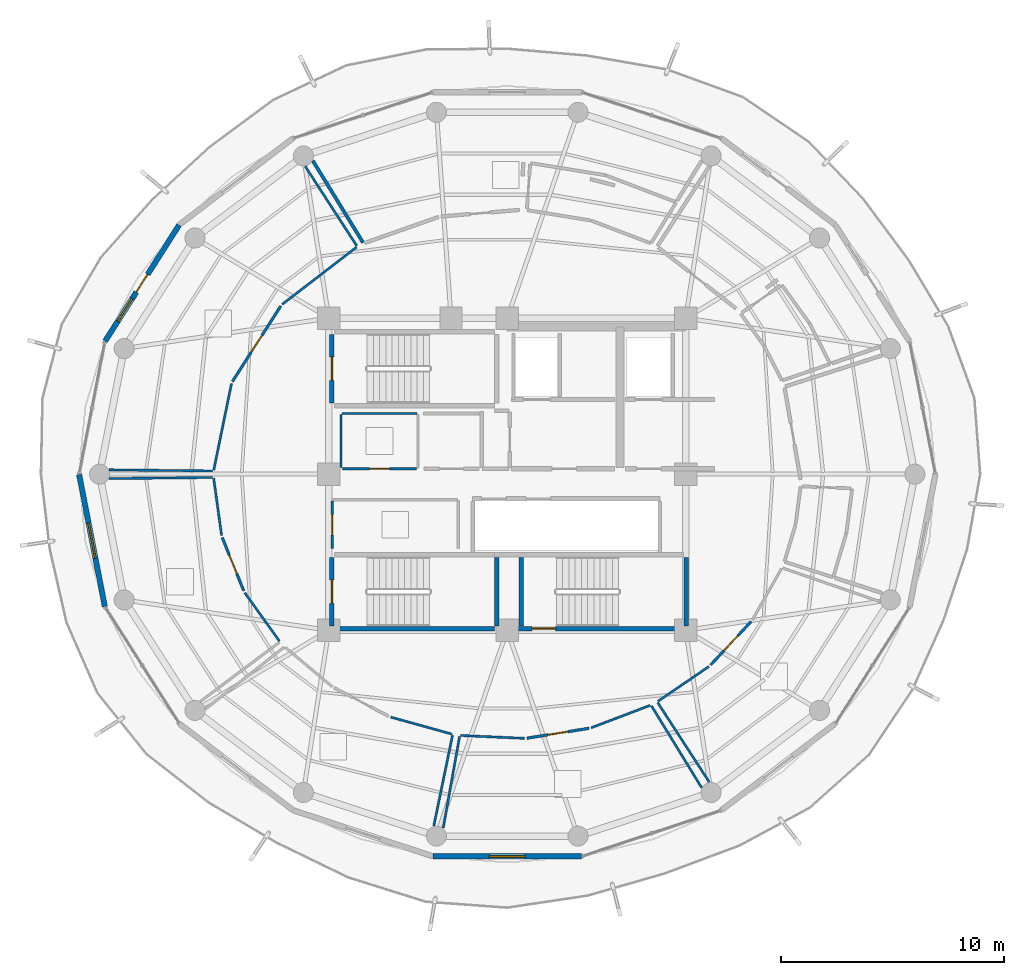
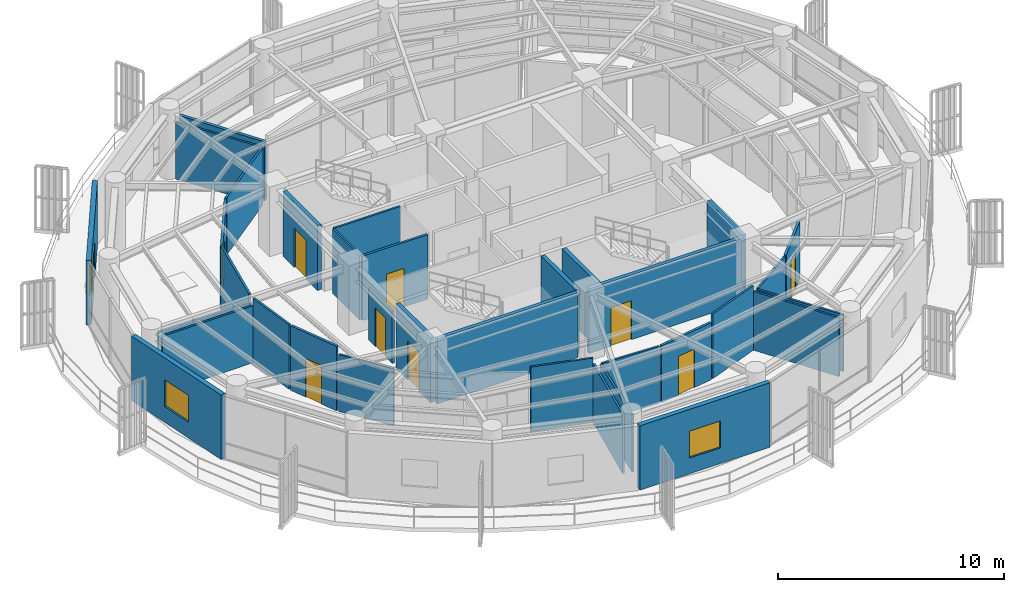
# One storey, part 15 of 22: 34 walls, 10 doors, 3 windows, 13 openings.
"""IFC4 building model written with IfcOpenShell, lengths in metres."""

from ifc_helpers import new_model, si_unit, direction, frame, frame_2d, origin, place, context, subcontext, project, spatial, rectangle, extrude, material, layer, layer_set, type_object, element, fill, save


model = new_model("IFC4")

# Units and contexts
model_context = context("Model", 3, precision=1e-05, world=origin(), true_north=direction((0.0, 1.0)))
body_context = subcontext(model_context, "Body", "Model", "MODEL_VIEW")
ifc_project = project(units=[si_unit("LENGTHUNIT", "METRE"), si_unit("AREAUNIT", "SQUARE_METRE"), si_unit("VOLUMEUNIT", "CUBIC_METRE"), si_unit("PLANEANGLEUNIT", "RADIAN"), si_unit("MASSUNIT", "GRAM", prefix="KILO")], contexts=[model_context])

# Site, building, storey
site_placement = place(None, origin())
site = spatial("IfcSite", under=ifc_project, at=site_placement, CompositionType="ELEMENT")
building_placement = place(site_placement, origin())
building = spatial("IfcBuilding", under=site, at=building_placement, Name="Kelanora Arch Commons", CompositionType="ELEMENT")
storey_placement = place(building_placement, frame((0.0, 0.0, 263.699951171875)))
storey = spatial("IfcBuildingStorey", under=building, at=storey_placement, Name="L67", CompositionType="ELEMENT", Elevation=263.699951171875)

# Wall
ifc_material_1 = material(Name="Autoclaved aerated concrete blockwork with fire plaster", Category="masonry")
ifc_layer_1 = layer(ifc_material_1, 0.14990234375)
ifc_layer_set_1 = layer_set([ifc_layer_1], Name="Autoclaved aerated concrete blockwork with fire plaster")
wall_type_1 = type_object("IfcWallType", Name="W-COMP-150", PredefinedType="PARTITIONING", material=ifc_layer_set_1)
wall_1_placement = place(storey_placement, frame((67.5341796875, 68.385009765625, 0.0), z_axis=(0.0, 0.0, 1.0), x_axis=(-0.522784059663, 0.852465147066, 0.0)))
element("IfcWall", 1, at=wall_1_placement, inside=storey, type_object=wall_type_1, Name="Co-Living Studio L67-02 Enclosure Partition 3", PredefinedType="PARTITIONING", context=body_context, shape_type="SweptSolid", body=[
    extrude(rectangle(XDim=4.30615234375, YDim=0.14990234375, at=frame_2d((2.153076171875, 0.0))), origin(), (0.0, 0.0, 1.0), 3.175048828125),
])

# Wall, openings, door, window
ifc_material_2 = material(Name="Precast concrete C40/50 upper-zone terracotta rainscreen", Category="masonry")
ifc_layer_2 = layer(ifc_material_2, 0.239990234375)
ifc_layer_set_2 = layer_set([ifc_layer_2], Name="Precast concrete C40/50 upper-zone terracotta rainscreen")
wall_type_2 = type_object("IfcWallType", Name="W-EXT-TC2", PredefinedType="SOLIDWALL", material=ifc_layer_set_2)
wall_2_placement = place(storey_placement, frame((59.28369140625, 69.171875, 0.0), z_axis=(0.0, 0.0, 1.0), x_axis=(-0.537271968456, -0.843409053728, 0.0)))
wall_2 = element("IfcWall", 2, at=wall_2_placement, inside=storey, type_object=wall_type_2, Name="Terracotta Exterior Wall L67-B07", PredefinedType="SOLIDWALL", context=body_context, shape_type="SweptSolid", body=[
    extrude(rectangle(XDim=6.175048828125, YDim=0.239990234375, at=frame_2d((3.08740234375, 0.0))), origin(), (0.0, 0.0, 1.0), 3.47509765625),
])
opening_1_placement = place(wall_2_placement, frame((2.613037109375, 0.0, 0.0)))
opening_1 = element("IfcOpeningElement", 3, at=opening_1_placement, cuts=wall_2, Name="Opening DB-01", PredefinedType="OPENING", context=body_context, shape_type="SweptSolid", body=[
    extrude(rectangle(XDim=0.949951171875, YDim=2.10009765625, at=frame_2d((0.47509765625, 1.050048828125))), frame((0.0, 0.1298828125, 0.0), z_axis=(0.0, -1.0, 0.0), x_axis=(1.0, 0.0, 0.0)), (0.0, 0.0, 1.0), 0.260009765625),
])
opening_2_placement = place(wall_2_placement, frame((3.9130859375, 0.0, 0.85009765625)))
opening_2 = element("IfcOpeningElement", 4, at=opening_2_placement, cuts=wall_2, Name="Opening WN-02", PredefinedType="OPENING", context=body_context, shape_type="SweptSolid", body=[
    extrude(rectangle(XDim=1.199951171875, YDim=1.449951171875, at=frame_2d((0.60009765625, 0.72509765625))), frame((0.0, 0.1298828125, 0.0), z_axis=(0.0, -1.0, 0.0), x_axis=(1.0, 0.0, 0.0)), (0.0, 0.0, 1.0), 0.260009765625),
])
ifc_material_3 = material(Name="Terracotta-aluminium thermally broken glazed balcony door", Category="masonry")
door_type_1 = type_object("IfcDoorType", Name="D-BAL-10", OperationType="NOTDEFINED", PredefinedType="DOOR", material=ifc_material_3)
door_1_placement = place(opening_1_placement, frame((0.949951171875, 0.0, 0.0), z_axis=(0.0, 0.0, 1.0), x_axis=(-1.0, 0.0, 0.0)))
door_1 = element("IfcDoor", 5, at=door_1_placement, inside=storey, type_object=door_type_1, Name="Wave Balcony Door L67-B07", OperationType="SINGLE_SWING_LEFT", OverallHeight=2.10009765625, OverallWidth=0.949951171875, PredefinedType="DOOR", context=body_context, shape_type="SweptSolid", body=[
    extrude(rectangle(XDim=0.949951171875, YDim=2.10009765625, at=frame_2d((0.47509765625, 1.050048828125))), frame((0.0, 0.02490234375, 0.0), z_axis=(0.0, -1.0, 0.0), x_axis=(1.0, 0.0, 0.0)), (0.0, 0.0, 1.0), 0.050048828125),
])
fill(opening_1, door_1)
ifc_material_4 = material(Name="Terracotta-anodised aluminium frame with operable awning sash", Category="masonry")
window_type_1 = type_object("IfcWindowType", Name="WIN-CL-12", PartitioningType="SINGLE_PANEL", PredefinedType="WINDOW", material=ifc_material_4)
window_1_placement = place(opening_2_placement, origin())
window_1 = element("IfcWindow", 6, at=window_1_placement, inside=storey, type_object=window_type_1, Name="Co-Living Operable Window L67-B07", OverallHeight=1.449951171875, OverallWidth=1.199951171875, PartitioningType="SINGLE_PANEL", PredefinedType="WINDOW", context=body_context, shape_type="SweptSolid", body=[
    extrude(rectangle(XDim=1.199951171875, YDim=1.449951171875, at=frame_2d((0.60009765625, 0.72509765625))), frame((0.0, 0.030029296875, 0.0), z_axis=(0.0, -1.0, 0.0), x_axis=(1.0, 0.0, 0.0)), (0.0, 0.0, 1.0), 0.06005859375),
])
fill(opening_2, window_1)

# Wall, opening, window
wall_3_placement = place(storey_placement, frame((54.802978515625, 57.9853515625, 0.0), z_axis=(0.0, 0.0, 1.0), x_axis=(0.190969309115, -0.981596008028, 0.0)))
wall_3 = element("IfcWall", 7, at=wall_3_placement, inside=storey, type_object=wall_type_2, Name="Terracotta Exterior Wall L67-B09", PredefinedType="SOLIDWALL", context=body_context, shape_type="SweptSolid", body=[
    extrude(rectangle(XDim=6.032958984375, YDim=0.239990234375, at=frame_2d((3.0166015625, 0.0))), origin(), (0.0, 0.0, 1.0), 3.47509765625),
])
opening_3_placement = place(wall_3_placement, frame((2.216064453125, 0.0, 0.85009765625)))
opening_3 = element("IfcOpeningElement", 8, at=opening_3_placement, cuts=wall_3, Name="Opening WN-01", PredefinedType="OPENING", context=body_context, shape_type="SweptSolid", body=[
    extrude(rectangle(XDim=1.60009765625, YDim=1.449951171875, at=frame_2d((0.800048828125, 0.72509765625))), frame((0.0, 0.1298828125, 0.0), z_axis=(0.0, -1.0, 0.0), x_axis=(1.0, 0.0, 0.0)), (0.0, 0.0, 1.0), 0.260009765625),
])
ifc_material_5 = material(Name="Terracotta-anodised aluminium frame with operable low-E glazing", Category="masonry")
window_type_2 = type_object("IfcWindowType", Name="WIN-CL-18", PartitioningType="DOUBLE_PANEL_VERTICAL", PredefinedType="WINDOW", material=ifc_material_5)
window_2_placement = place(opening_3_placement, origin())
window_2 = element("IfcWindow", 9, at=window_2_placement, inside=storey, type_object=window_type_2, Name="Co-Living Operable Window L67-B09", OverallHeight=1.449951171875, OverallWidth=1.60009765625, PartitioningType="SINGLE_PANEL", PredefinedType="WINDOW", context=body_context, shape_type="SweptSolid", body=[
    extrude(rectangle(XDim=1.60009765625, YDim=1.449951171875, at=frame_2d((0.800048828125, 0.72509765625))), frame((0.0, 0.030029296875, 0.0), z_axis=(0.0, -1.0, 0.0), x_axis=(1.0, 0.0, 0.0)), (0.0, 0.0, 1.0), 0.06005859375),
])
fill(opening_3, window_2)

wall_4_placement = place(storey_placement, frame((70.680908203125, 40.8642578125, 0.0), z_axis=(0.0, 0.0, 1.0), x_axis=(1.0, 0.0, 0.0)))
wall_4 = element("IfcWall", 10, at=wall_4_placement, inside=storey, type_object=wall_type_2, Name="Terracotta Exterior Wall L67-B13", PredefinedType="SOLIDWALL", context=body_context, shape_type="SweptSolid", body=[
    extrude(rectangle(XDim=6.63818359375, YDim=0.239990234375, at=frame_2d((3.319091796875, 0.0))), origin(), (0.0, 0.0, 1.0), 3.47509765625),
])
opening_4_placement = place(wall_4_placement, frame((2.51904296875, 0.0, 0.85009765625)))
opening_4 = element("IfcOpeningElement", 11, at=opening_4_placement, cuts=wall_4, Name="Opening WN-01", PredefinedType="OPENING", context=body_context, shape_type="SweptSolid", body=[
    extrude(rectangle(XDim=1.60009765625, YDim=1.449951171875, at=frame_2d((0.800048828125, 0.72509765625))), frame((0.0, 0.1298828125, 0.0), z_axis=(0.0, -1.0, 0.0), x_axis=(1.0, 0.0, 0.0)), (0.0, 0.0, 1.0), 0.260009765625),
])
window_3_placement = place(opening_4_placement, origin())
window_3 = element("IfcWindow", 12, at=window_3_placement, inside=storey, type_object=window_type_2, Name="Co-Living Operable Window L67-B13", OverallHeight=1.449951171875, OverallWidth=1.60009765625, PartitioningType="SINGLE_PANEL", PredefinedType="WINDOW", context=body_context, shape_type="SweptSolid", body=[
    extrude(rectangle(XDim=1.60009765625, YDim=1.449951171875, at=frame_2d((0.800048828125, 0.72509765625))), frame((0.0, 0.030029296875, 0.0), z_axis=(0.0, -1.0, 0.0), x_axis=(1.0, 0.0, 0.0)), (0.0, 0.0, 1.0), 0.06005859375),
])
fill(opening_4, window_3)

# Walls
ifc_material_6 = material(Name="Lightweight fire-rated acoustic stud partition")
ifc_layer_3 = layer(ifc_material_6, 0.10009765625)
ifc_layer_set_3 = layer_set([ifc_layer_3], Name="Lightweight fire-rated acoustic stud partition")
wall_type_3 = type_object("IfcWallType", Name="W-PART-100", PredefinedType="PARTITIONING", material=ifc_layer_set_3)
wall_5_placement = place(storey_placement, frame((69.9599609375, 60.719970703125, 0.0), z_axis=(0.0, 0.0, 1.0), x_axis=(-1.0, 0.0, 0.0)))
element("IfcWall", 13, at=wall_5_placement, inside=storey, type_object=wall_type_3, Name="Reclaimed Core Quiet Phone Booths L67 Enclosure Partition 3", PredefinedType="PARTITIONING", context=body_context, shape_type="SweptSolid", body=[
    extrude(rectangle(XDim=3.369873046875, YDim=0.10009765625, at=frame_2d((1.68505859375, 0.0))), origin(), (0.0, 0.0, 1.0), 3.47998046875),
])
wall_6_placement = place(storey_placement, frame((66.550048828125, 60.679931640625, 0.0), z_axis=(0.0, 0.0, 1.0), x_axis=(0.0, -1.0, 0.0)))
element("IfcWall", 14, at=wall_6_placement, inside=storey, type_object=wall_type_3, Name="Reclaimed Core Quiet Phone Booths L67 Enclosure Partition 4", PredefinedType="PARTITIONING", context=body_context, shape_type="SweptSolid", body=[
    extrude(rectangle(XDim=2.389892578125, YDim=0.10009765625, at=frame_2d((1.19482421875, 0.0))), origin(), (0.0, 0.0, 1.0), 3.47998046875),
])
wall_7_placement = place(storey_placement, frame((67.244384765625, 68.181640625, 0.0), z_axis=(0.0, 0.0, 1.0), x_axis=(-0.792820246885, -0.609455540733, 0.0)))
element("IfcWall", 15, at=wall_7_placement, inside=storey, type_object=wall_type_3, Name="Communal Dining and Social Hall L67-03 Enclosure Partition 1", PredefinedType="PARTITIONING", context=body_context, shape_type="SweptSolid", body=[
    extrude(rectangle(XDim=4.207275390625, YDim=0.10009765625, at=frame_2d((2.103515625, 0.0))), origin(), (0.0, 0.0, 1.0), 3.074951171875),
])
wall_8_placement = place(storey_placement, frame((61.635009765625, 62.06591796875, 0.0), z_axis=(0.0, 0.0, 1.0), x_axis=(-0.200853183429, -0.979621354762, 0.0)))
element("IfcWall", 16, at=wall_8_placement, inside=storey, type_object=wall_type_3, Name="Communal Dining and Social Hall L67-03 Enclosure Partition 3", PredefinedType="PARTITIONING", context=body_context, shape_type="SweptSolid", body=[
    extrude(rectangle(XDim=3.962646484375, YDim=0.10009765625, at=frame_2d((1.9814453125, 0.0))), origin(), (0.0, 0.0, 1.0), 3.47998046875),
])
wall_9_placement = place(storey_placement, frame((60.791015625, 58.1455078125, 0.0), z_axis=(0.0, 0.0, 1.0), x_axis=(-0.999937174585, 0.01120923205, 0.0)))
element("IfcWall", 17, at=wall_9_placement, inside=storey, type_object=wall_type_3, Name="Communal Dining and Social Hall L67-03 Enclosure Partition 4", PredefinedType="PARTITIONING", context=body_context, shape_type="SweptSolid", body=[
    extrude(rectangle(XDim=4.63916015625, YDim=0.10009765625, at=frame_2d((2.319580078125, 0.0))), origin(), (0.0, 0.0, 1.0), 3.074951171875),
])
wall_10_placement = place(storey_placement, frame((64.941650390625, 71.80419921875, 0.0), z_axis=(0.0, 0.0, 1.0), x_axis=(0.544234825024, -0.838932926539, 0.0)))
element("IfcWall", 18, at=wall_10_placement, inside=storey, type_object=wall_type_3, Name="Communal Dining and Social Hall L67-03 Enclosure Partition 8", PredefinedType="PARTITIONING", context=body_context, shape_type="SweptSolid", body=[
    extrude(rectangle(XDim=4.2490234375, YDim=0.10009765625, at=frame_2d((2.12451171875, 0.0))), origin(), (0.0, 0.0, 1.0), 3.074951171875),
])
wall_11_placement = place(storey_placement, frame((60.83642578125, 57.8154296875, 0.0), z_axis=(0.0, 0.0, 1.0), x_axis=(0.137359832701, -0.990521214493, 0.0)))
element("IfcWall", 19, at=wall_11_placement, inside=storey, type_object=wall_type_3, Name="Social Sky Lounge L67-04 Enclosure Partition 1", PredefinedType="PARTITIONING", context=body_context, shape_type="SweptSolid", body=[
    extrude(rectangle(XDim=2.584228515625, YDim=0.10009765625, at=frame_2d((1.2919921875, 0.0))), origin(), (0.0, 0.0, 1.0), 3.47998046875),
])
wall_12_placement = place(storey_placement, frame((62.230224609375, 52.68359375, 0.0), z_axis=(0.0, 0.0, 1.0), x_axis=(0.582725386778, -0.812669135383, 0.0)))
element("IfcWall", 20, at=wall_12_placement, inside=storey, type_object=wall_type_3, Name="Social Sky Lounge L67-04 Enclosure Partition 3", PredefinedType="PARTITIONING", context=body_context, shape_type="SweptSolid", body=[
    extrude(rectangle(XDim=2.669189453125, YDim=0.10009765625, at=frame_2d((1.33447265625, 0.0))), origin(), (0.0, 0.0, 1.0), 3.074951171875),
])
wall_13_placement = place(storey_placement, frame((56.152099609375, 57.802490234375, 0.0), z_axis=(0.0, 0.0, 1.0), x_axis=(0.999937174585, 0.01120923205, 0.0)))
element("IfcWall", 21, at=wall_13_placement, inside=storey, type_object=wall_type_3, Name="Social Sky Lounge L67-04 Enclosure Partition 8", PredefinedType="PARTITIONING", context=body_context, shape_type="SweptSolid", body=[
    extrude(rectangle(XDim=4.63916015625, YDim=0.10009765625, at=frame_2d((2.319580078125, 0.0))), origin(), (0.0, 0.0, 1.0), 3.074951171875),
])
wall_14_placement = place(storey_placement, frame((68.7724609375, 47.109375, 0.0), z_axis=(0.0, 0.0, 1.0), x_axis=(0.963478601256, -0.267785333659, 0.0)))
element("IfcWall", 22, at=wall_14_placement, inside=storey, type_object=wall_type_3, Name="Social Sky Lounge L67-05 Enclosure Partition 3", PredefinedType="PARTITIONING", context=body_context, shape_type="SweptSolid", body=[
    extrude(rectangle(XDim=2.84814453125, YDim=0.10009765625, at=frame_2d((1.424072265625, 0.0))), origin(), (0.0, 0.0, 1.0), 3.47998046875),
])
wall_15_placement = place(storey_placement, frame((71.546875, 46.296875, 0.0), z_axis=(0.0, 0.0, 1.0), x_axis=(-0.202308141573, -0.979321916355, 0.0)))
element("IfcWall", 23, at=wall_15_placement, inside=storey, type_object=wall_type_3, Name="Social Sky Lounge L67-05 Enclosure Partition 4", PredefinedType="PARTITIONING", context=body_context, shape_type="SweptSolid", body=[
    extrude(rectangle(XDim=4.152587890625, YDim=0.10009765625, at=frame_2d((2.076171875, 0.0))), origin(), (0.0, 0.0, 1.0), 3.175048828125),
])
wall_16_placement = place(storey_placement, frame((71.912109375, 46.2841796875, 0.0), z_axis=(0.0, 0.0, 1.0), x_axis=(0.998983047325, -0.045087372484, 0.0)))
element("IfcWall", 24, at=wall_16_placement, inside=storey, type_object=wall_type_3, Name="Quiet Seminar Study Room L67-06 Enclosure Partition 1", PredefinedType="PARTITIONING", context=body_context, shape_type="SweptSolid", body=[
    extrude(rectangle(XDim=2.869873046875, YDim=0.10009765625, at=frame_2d((1.43505859375, 0.0))), origin(), (0.0, 0.0, 1.0), 3.074951171875),
])
wall_17_placement = place(storey_placement, frame((77.763427734375, 46.629150390625, 0.0), z_axis=(0.0, 0.0, 1.0), x_axis=(0.934691278896, 0.355460564839, 0.0)))
element("IfcWall", 25, at=wall_17_placement, inside=storey, type_object=wall_type_3, Name="Quiet Seminar Study Room L67-06 Enclosure Partition 3", PredefinedType="PARTITIONING", context=body_context, shape_type="SweptSolid", body=[
    extrude(rectangle(XDim=2.8291015625, YDim=0.10009765625, at=frame_2d((1.41455078125, 0.0))), origin(), (0.0, 0.0, 1.0), 3.47998046875),
])
wall_18_placement = place(storey_placement, frame((80.4658203125, 47.614990234375, 0.0), z_axis=(0.0, 0.0, 1.0), x_axis=(0.522784059663, -0.852465147066, 0.0)))
element("IfcWall", 26, at=wall_18_placement, inside=storey, type_object=wall_type_3, Name="Quiet Seminar Study Room L67-06 Enclosure Partition 4", PredefinedType="PARTITIONING", context=body_context, shape_type="SweptSolid", body=[
    extrude(rectangle(XDim=4.30615234375, YDim=0.10009765625, at=frame_2d((2.153076171875, 0.0))), origin(), (0.0, 0.0, 1.0), 3.175048828125),
])
wall_19_placement = place(storey_placement, frame((71.129150390625, 42.1357421875, 0.0), z_axis=(0.0, 0.0, 1.0), x_axis=(0.176199339585, 0.984354505618, 0.0)))
element("IfcWall", 27, at=wall_19_placement, inside=storey, type_object=wall_type_3, Name="Quiet Seminar Study Room L67-06 Enclosure Partition 8", PredefinedType="PARTITIONING", context=body_context, shape_type="SweptSolid", body=[
    extrude(rectangle(XDim=4.17626953125, YDim=0.10009765625, at=frame_2d((2.088134765625, 0.0))), origin(), (0.0, 0.0, 1.0), 3.074951171875),
])
wall_20_placement = place(storey_placement, frame((80.757080078125, 47.81640625, 0.0), z_axis=(0.0, 0.0, 1.0), x_axis=(0.826087380575, 0.563542047814, 0.0)))
element("IfcWall", 28, at=wall_20_placement, inside=storey, type_object=wall_type_3, Name="Communal Dining and Social Hall L67-07 Enclosure Partition 1", PredefinedType="PARTITIONING", context=body_context, shape_type="SweptSolid", body=[
    extrude(rectangle(XDim=2.768310546875, YDim=0.10009765625, at=frame_2d((1.38427734375, 0.0))), origin(), (0.0, 0.0, 1.0), 3.074951171875),
])
wall_21_placement = place(storey_placement, frame((83.058349609375, 44.19580078125, 0.0), z_axis=(0.0, 0.0, 1.0), x_axis=(-0.544234825024, 0.838932926539, 0.0)))
element("IfcWall", 29, at=wall_21_placement, inside=storey, type_object=wall_type_3, Name="Communal Dining and Social Hall L67-07 Enclosure Partition 8", PredefinedType="PARTITIONING", context=body_context, shape_type="SweptSolid", body=[
    extrude(rectangle(XDim=4.2490234375, YDim=0.10009765625, at=frame_2d((2.12451171875, 0.0))), origin(), (0.0, 0.0, 1.0), 3.074951171875),
])

# Wall, opening, door
ifc_material_7 = material(Name="Acoustic twin-stud fire-rated gypsum partition")
ifc_layer_4 = layer(ifc_material_7, 0.1201171875)
ifc_layer_set_4 = layer_set([ifc_layer_4], Name="Acoustic twin-stud fire-rated gypsum partition")
wall_type_4 = type_object("IfcWallType", Name="W-PART-120", PredefinedType="PARTITIONING", material=ifc_layer_set_4)
wall_22_placement = place(storey_placement, frame((66.610107421875, 58.25, 0.0), z_axis=(0.0, 0.0, 1.0), x_axis=(1.0, 0.0, 0.0)))
wall_22 = element("IfcWall", 30, at=wall_22_placement, inside=storey, type_object=wall_type_4, Name="Reclaimed Core Quiet Phone Booths L67 Entry Partition", PredefinedType="PARTITIONING", context=body_context, shape_type="SweptSolid", body=[
    extrude(rectangle(XDim=3.329833984375, YDim=0.1201171875, at=frame_2d((1.6650390625, 0.0))), origin(), (0.0, 0.0, 1.0), 3.47998046875),
])
opening_5_placement = place(wall_22_placement, frame((1.215087890625, 0.0, 0.0)))
opening_5 = element("IfcOpeningElement", 31, at=opening_5_placement, cuts=wall_22, Name="Opening D-RM1", PredefinedType="OPENING", context=body_context, shape_type="SweptSolid", body=[
    extrude(rectangle(XDim=0.89990234375, YDim=2.080078125, at=frame_2d((0.449951171875, 1.0400390625))), frame((0.0, 0.070068359375, 0.0), z_axis=(0.0, -1.0, 0.0), x_axis=(1.0, 0.0, 0.0)), (0.0, 0.0, 1.0), 0.14013671875),
])
ifc_material_8 = material(Name="Acoustic fire-rated timber study and lounge door", Category="wood")
door_type_2 = type_object("IfcDoorType", Name="D-ROOM-90", OperationType="NOTDEFINED", PredefinedType="DOOR", material=ifc_material_8)
door_2_placement = place(opening_5_placement, origin())
door_2 = element("IfcDoor", 32, at=door_2_placement, inside=storey, type_object=door_type_2, Name="Reclaimed Core Quiet Phone Booths L67 Door", OperationType="SINGLE_SWING_RIGHT", OverallHeight=2.080078125, OverallWidth=0.89990234375, PredefinedType="DOOR", context=body_context, shape_type="SweptSolid", body=[
    extrude(rectangle(XDim=0.89990234375, YDim=2.080078125, at=frame_2d((0.449951171875, 1.0400390625))), frame((0.0, 0.02490234375, 0.0), z_axis=(0.0, -1.0, 0.0), x_axis=(1.0, 0.0, 0.0)), (0.0, 0.0, 1.0), 0.050048828125),
])
fill(opening_5, door_2)

wall_23_placement = place(storey_placement, frame((66.14990234375, 54.679931640625, 0.0), z_axis=(0.0, 0.0, 1.0), x_axis=(0.0, 1.0, 0.0)))
wall_23 = element("IfcWall", 33, at=wall_23_placement, inside=storey, type_object=wall_type_4, Name="Reclaimed Core High-Zone Pantry and Copy Room L67 Entry Partition", PredefinedType="PARTITIONING", context=body_context, shape_type="SweptSolid", body=[
    extrude(rectangle(XDim=2.110107421875, YDim=0.1201171875, at=frame_2d((1.05517578125, 0.0))), origin(), (0.0, 0.0, 1.0), 2.775146484375),
])
opening_6_placement = place(wall_23_placement, frame((0.60498046875, 0.0, 0.0)))
opening_6 = element("IfcOpeningElement", 34, at=opening_6_placement, cuts=wall_23, Name="Opening D-RM1", PredefinedType="OPENING", context=body_context, shape_type="SweptSolid", body=[
    extrude(rectangle(XDim=0.89990234375, YDim=2.080078125, at=frame_2d((0.449951171875, 1.0400390625))), frame((0.0, 0.070068359375, 0.0), z_axis=(0.0, -1.0, 0.0), x_axis=(1.0, 0.0, 0.0)), (0.0, 0.0, 1.0), 0.14013671875),
])
door_3_placement = place(opening_6_placement, origin())
door_3 = element("IfcDoor", 35, at=door_3_placement, inside=storey, type_object=door_type_2, Name="Reclaimed Core High-Zone Pantry and Copy Room L67 Door", OperationType="SINGLE_SWING_RIGHT", OverallHeight=2.080078125, OverallWidth=0.89990234375, PredefinedType="DOOR", context=body_context, shape_type="SweptSolid", body=[
    extrude(rectangle(XDim=0.89990234375, YDim=2.080078125, at=frame_2d((0.449951171875, 1.0400390625))), frame((0.0, 0.02490234375, 0.0), z_axis=(0.0, -1.0, 0.0), x_axis=(1.0, 0.0, 0.0)), (0.0, 0.0, 1.0), 0.050048828125),
])
fill(opening_6, door_3)

wall_24_placement = place(storey_placement, frame((63.844482421875, 65.54248046875, 0.0), z_axis=(0.0, 0.0, 1.0), x_axis=(-0.539324099435, -0.842098281538, 0.0)))
wall_24 = element("IfcWall", 36, at=wall_24_placement, inside=storey, type_object=wall_type_4, Name="Communal Dining and Social Hall L67-03 Entry Partition", PredefinedType="PARTITIONING", context=body_context, shape_type="SweptSolid", body=[
    extrude(rectangle(XDim=4.02197265625, YDim=0.1201171875, at=frame_2d((2.010986328125, 0.0))), origin(), (0.0, 0.0, 1.0), 3.074951171875),
])
opening_7_placement = place(wall_24_placement, frame((1.56103515625, 0.0, 0.0)))
opening_7 = element("IfcOpeningElement", 37, at=opening_7_placement, cuts=wall_24, Name="Opening D-RM1", PredefinedType="OPENING", context=body_context, shape_type="SweptSolid", body=[
    extrude(rectangle(XDim=0.89990234375, YDim=2.080078125, at=frame_2d((0.449951171875, 1.0400390625))), frame((0.0, 0.070068359375, 0.0), z_axis=(0.0, -1.0, 0.0), x_axis=(1.0, 0.0, 0.0)), (0.0, 0.0, 1.0), 0.14013671875),
])
door_4_placement = place(opening_7_placement, origin())
door_4 = element("IfcDoor", 38, at=door_4_placement, inside=storey, type_object=door_type_2, Name="Communal Dining and Social Hall L67-03 Door", OperationType="SINGLE_SWING_LEFT", OverallHeight=2.080078125, OverallWidth=0.89990234375, PredefinedType="DOOR", context=body_context, shape_type="SweptSolid", body=[
    extrude(rectangle(XDim=0.89990234375, YDim=2.080078125, at=frame_2d((0.449951171875, 1.0400390625))), frame((0.0, 0.02490234375, 0.0), z_axis=(0.0, -1.0, 0.0), x_axis=(1.0, 0.0, 0.0)), (0.0, 0.0, 1.0), 0.050048828125),
])
fill(opening_7, door_4)

wall_25_placement = place(storey_placement, frame((61.219482421875, 55.160400390625, 0.0), z_axis=(0.0, 0.0, 1.0), x_axis=(0.374574284654, -0.927196907499, 0.0)))
wall_25 = element("IfcWall", 39, at=wall_25_placement, inside=storey, type_object=wall_type_4, Name="Social Sky Lounge L67-04 Entry Partition", PredefinedType="PARTITIONING", context=body_context, shape_type="SweptSolid", body=[
    extrude(rectangle(XDim=2.576416015625, YDim=0.1201171875, at=frame_2d((1.2880859375, 0.0))), origin(), (0.0, 0.0, 1.0), 3.47998046875),
])
opening_8_placement = place(wall_25_placement, frame((0.837890625, 0.0, 0.0)))
opening_8 = element("IfcOpeningElement", 40, at=opening_8_placement, cuts=wall_25, Name="Opening D-RM1", PredefinedType="OPENING", context=body_context, shape_type="SweptSolid", body=[
    extrude(rectangle(XDim=0.89990234375, YDim=2.080078125, at=frame_2d((0.449951171875, 1.0400390625))), frame((0.0, 0.070068359375, 0.0), z_axis=(0.0, -1.0, 0.0), x_axis=(1.0, 0.0, 0.0)), (0.0, 0.0, 1.0), 0.14013671875),
])
door_5_placement = place(opening_8_placement, origin())
door_5 = element("IfcDoor", 41, at=door_5_placement, inside=storey, type_object=door_type_2, Name="Social Sky Lounge L67-04 Door", OperationType="SINGLE_SWING_RIGHT", OverallHeight=2.080078125, OverallWidth=0.89990234375, PredefinedType="DOOR", context=body_context, shape_type="SweptSolid", body=[
    extrude(rectangle(XDim=0.89990234375, YDim=2.080078125, at=frame_2d((0.449951171875, 1.0400390625))), frame((0.0, 0.02490234375, 0.0), z_axis=(0.0, -1.0, 0.0), x_axis=(1.0, 0.0, 0.0)), (0.0, 0.0, 1.0), 0.050048828125),
])
fill(opening_8, door_5)

wall_26_placement = place(storey_placement, frame((74.87841796875, 46.162353515625, 0.0), z_axis=(0.0, 0.0, 1.0), x_axis=(0.987593415231, 0.157032627796, 0.0)))
wall_26 = element("IfcWall", 42, at=wall_26_placement, inside=storey, type_object=wall_type_4, Name="Quiet Seminar Study Room L67-06 Entry Partition", PredefinedType="PARTITIONING", context=body_context, shape_type="SweptSolid", body=[
    extrude(rectangle(XDim=2.8232421875, YDim=0.1201171875, at=frame_2d((1.41162109375, 0.0))), origin(), (0.0, 0.0, 1.0), 3.074951171875),
])
opening_9_placement = place(wall_26_placement, frame((0.9619140625, 0.0, 0.0)))
opening_9 = element("IfcOpeningElement", 43, at=opening_9_placement, cuts=wall_26, Name="Opening D-RM1", PredefinedType="OPENING", context=body_context, shape_type="SweptSolid", body=[
    extrude(rectangle(XDim=0.89990234375, YDim=2.080078125, at=frame_2d((0.449951171875, 1.0400390625))), frame((0.0, 0.070068359375, 0.0), z_axis=(0.0, -1.0, 0.0), x_axis=(1.0, 0.0, 0.0)), (0.0, 0.0, 1.0), 0.14013671875),
])
door_6_placement = place(opening_9_placement, origin())
door_6 = element("IfcDoor", 44, at=door_6_placement, inside=storey, type_object=door_type_2, Name="Quiet Seminar Study Room L67-06 Door", OperationType="SINGLE_SWING_RIGHT", OverallHeight=2.080078125, OverallWidth=0.89990234375, PredefinedType="DOOR", context=body_context, shape_type="SweptSolid", body=[
    extrude(rectangle(XDim=0.89990234375, YDim=2.080078125, at=frame_2d((0.449951171875, 1.0400390625))), frame((0.0, 0.02490234375, 0.0), z_axis=(0.0, -1.0, 0.0), x_axis=(1.0, 0.0, 0.0)), (0.0, 0.0, 1.0), 0.050048828125),
])
fill(opening_9, door_6)

wall_27_placement = place(storey_placement, frame((83.117919921875, 49.44287109375, 0.0), z_axis=(0.0, 0.0, 1.0), x_axis=(0.681315269885, 0.731990097625, 0.0)))
wall_27 = element("IfcWall", 45, at=wall_27_placement, inside=storey, type_object=wall_type_4, Name="Communal Dining and Social Hall L67-07 Entry Partition", PredefinedType="PARTITIONING", context=body_context, shape_type="SweptSolid", body=[
    extrude(rectangle(XDim=2.664306640625, YDim=0.1201171875, at=frame_2d((1.33203125, 0.0))), origin(), (0.0, 0.0, 1.0), 3.074951171875),
])
opening_10_placement = place(wall_27_placement, frame((0.882080078125, 0.0, 0.0)))
opening_10 = element("IfcOpeningElement", 46, at=opening_10_placement, cuts=wall_27, Name="Opening D-RM1", PredefinedType="OPENING", context=body_context, shape_type="SweptSolid", body=[
    extrude(rectangle(XDim=0.89990234375, YDim=2.080078125, at=frame_2d((0.449951171875, 1.0400390625))), frame((0.0, 0.070068359375, 0.0), z_axis=(0.0, -1.0, 0.0), x_axis=(1.0, 0.0, 0.0)), (0.0, 0.0, 1.0), 0.14013671875),
])
door_7_placement = place(opening_10_placement, origin())
door_7 = element("IfcDoor", 47, at=door_7_placement, inside=storey, type_object=door_type_2, Name="Communal Dining and Social Hall L67-07 Door", OperationType="SINGLE_SWING_LEFT", OverallHeight=2.080078125, OverallWidth=0.89990234375, PredefinedType="DOOR", context=body_context, shape_type="SweptSolid", body=[
    extrude(rectangle(XDim=0.89990234375, YDim=2.080078125, at=frame_2d((0.449951171875, 1.0400390625))), frame((0.0, 0.02490234375, 0.0), z_axis=(0.0, -1.0, 0.0), x_axis=(1.0, 0.0, 0.0)), (0.0, 0.0, 1.0), 0.050048828125),
])
fill(opening_10, door_7)

ifc_material_9 = material(Name="Concrete C40/50", Category="concrete")
ifc_layer_5 = layer(ifc_material_9, 0.199951171875)
ifc_layer_set_5 = layer_set([ifc_layer_5], Name="Concrete C40/50")
wall_type_5 = type_object("IfcWallType", Name="W-STAIR-200", PredefinedType="SHEAR", material=ifc_layer_set_5)
wall_28_placement = place(storey_placement, frame((66.139892578125, 64.27001953125, 0.0), z_axis=(0.0, 0.0, 1.0), x_axis=(0.0, -1.0, 0.0)))
wall_28 = element("IfcWall", 48, at=wall_28_placement, inside=storey, type_object=wall_type_5, Name="Stair ST-T1 Shaft Wall W L67", PredefinedType="SHEAR", context=body_context, shape_type="SweptSolid", body=[
    extrude(rectangle(XDim=3.070068359375, YDim=0.199951171875, at=frame_2d((1.53515625, 0.0))), origin(), (0.0, 0.0, 1.0), 3.489990234375),
])
opening_11_placement = place(wall_28_placement, frame((1.010009765625, 0.0, 0.0)))
opening_11 = element("IfcOpeningElement", 49, at=opening_11_placement, cuts=wall_28, Name="Opening D-ST1", PredefinedType="OPENING", context=body_context, shape_type="SweptSolid", body=[
    extrude(rectangle(XDim=1.050048828125, YDim=2.10009765625, at=frame_2d((0.52490234375, 1.050048828125))), frame((0.0, 0.10986328125, 0.0), z_axis=(0.0, -1.0, 0.0), x_axis=(1.0, 0.0, 0.0)), (0.0, 0.0, 1.0), 0.219970703125),
])
ifc_material_10 = material(Name="Steel fire-rated stairwell escape door", Category="steel")
door_type_3 = type_object("IfcDoorType", Name="D-STAIR-110", OperationType="NOTDEFINED", PredefinedType="DOOR", material=ifc_material_10)
door_8_placement = place(opening_11_placement, origin())
door_8 = element("IfcDoor", 50, at=door_8_placement, inside=storey, type_object=door_type_3, Name="Stair ST-T1 Escape Door L67", OperationType="SINGLE_SWING_LEFT", OverallHeight=2.10009765625, OverallWidth=1.050048828125, PredefinedType="DOOR", context=body_context, shape_type="SweptSolid", body=[
    extrude(rectangle(XDim=1.050048828125, YDim=2.10009765625, at=frame_2d((0.52490234375, 1.050048828125))), frame((0.0, 0.02490234375, 0.0), z_axis=(0.0, -1.0, 0.0), x_axis=(1.0, 0.0, 0.0)), (0.0, 0.0, 1.0), 0.050048828125),
])
fill(opening_11, door_8)

wall_29_placement = place(storey_placement, frame((74.0, 51.080078125, 0.0), z_axis=(0.0, 0.0, 1.0), x_axis=(1.0, 0.0, 0.0)))
wall_29 = element("IfcWall", 51, at=wall_29_placement, inside=storey, type_object=wall_type_5, Name="Stair ST-T2 Shaft Wall S L67", PredefinedType="SHEAR", context=body_context, shape_type="SweptSolid", body=[
    extrude(rectangle(XDim=7.89990234375, YDim=0.199951171875, at=frame_2d((3.949951171875, 0.0))), origin(), (0.0, 0.0, 1.0), 3.489990234375),
])
opening_12_placement = place(wall_29_placement, frame((1.1201171875, 0.0, 0.0)))
opening_12 = element("IfcOpeningElement", 52, at=opening_12_placement, cuts=wall_29, Name="Opening D-ST1", PredefinedType="OPENING", context=body_context, shape_type="SweptSolid", body=[
    extrude(rectangle(XDim=1.050048828125, YDim=2.10009765625, at=frame_2d((0.52490234375, 1.050048828125))), frame((0.0, 0.10986328125, 0.0), z_axis=(0.0, -1.0, 0.0), x_axis=(1.0, 0.0, 0.0)), (0.0, 0.0, 1.0), 0.219970703125),
])
door_9_placement = place(opening_12_placement, origin())
door_9 = element("IfcDoor", 53, at=door_9_placement, inside=storey, type_object=door_type_3, Name="Stair ST-T2 Escape Door L67", OperationType="SINGLE_SWING_LEFT", OverallHeight=2.10009765625, OverallWidth=1.050048828125, PredefinedType="DOOR", context=body_context, shape_type="SweptSolid", body=[
    extrude(rectangle(XDim=1.050048828125, YDim=2.10009765625, at=frame_2d((0.52490234375, 1.050048828125))), frame((0.0, 0.02490234375, 0.0), z_axis=(0.0, -1.0, 0.0), x_axis=(1.0, 0.0, 0.0)), (0.0, 0.0, 1.0), 0.050048828125),
])
fill(opening_12, door_9)

# Walls
for number, where, z_axis, x_axis, name in (
    (54, (82.02001953125, 51.199951171875, 0.0), (0.0, 0.0, 1.0), (0.0, 1.0, 0.0), "Stair ST-T2 Shaft Wall E L67"),
    (55, (74.6201171875, 54.27001953125, 0.0), (0.0, 0.0, 1.0), (0.0, -1.0, 0.0), "Stair ST-T2 Shaft Wall W L67"),
):
    element("IfcWall", number, at=place(storey_placement, frame(where, z_axis=z_axis, x_axis=x_axis)), inside=storey, type_object=wall_type_5, Name=name, PredefinedType="SHEAR", context=body_context, shape_type="SweptSolid", body=[
        extrude(rectangle(XDim=3.070068359375, YDim=0.199951171875, at=frame_2d((1.53515625, 0.0))), origin(), (0.0, 0.0, 1.0), 3.489990234375),
    ])
wall_30_placement = place(storey_placement, frame((66.260009765625, 51.080078125, 0.0), z_axis=(0.0, 0.0, 1.0), x_axis=(1.0, 0.0, 0.0)))
element("IfcWall", 56, at=wall_30_placement, inside=storey, type_object=wall_type_5, Name="Stair ST-T3 Shaft Wall S L67", PredefinedType="SHEAR", context=body_context, shape_type="SweptSolid", body=[
    extrude(rectangle(XDim=7.159912109375, YDim=0.199951171875, at=frame_2d((3.580078125, 0.0))), origin(), (0.0, 0.0, 1.0), 3.489990234375),
])
wall_31_placement = place(storey_placement, frame((73.5400390625, 51.199951171875, 0.0), z_axis=(0.0, 0.0, 1.0), x_axis=(0.0, 1.0, 0.0)))
element("IfcWall", 57, at=wall_31_placement, inside=storey, type_object=wall_type_5, Name="Stair ST-T3 Shaft Wall E L67", PredefinedType="SHEAR", context=body_context, shape_type="SweptSolid", body=[
    extrude(rectangle(XDim=3.070068359375, YDim=0.199951171875, at=frame_2d((1.53515625, 0.0))), origin(), (0.0, 0.0, 1.0), 3.489990234375),
])

# Wall, opening, door
wall_32_placement = place(storey_placement, frame((66.139892578125, 54.27001953125, 0.0), z_axis=(0.0, 0.0, 1.0), x_axis=(0.0, -1.0, 0.0)))
wall_32 = element("IfcWall", 58, at=wall_32_placement, inside=storey, type_object=wall_type_5, Name="Stair ST-T3 Shaft Wall W L67", PredefinedType="SHEAR", context=body_context, shape_type="SweptSolid", body=[
    extrude(rectangle(XDim=3.070068359375, YDim=0.199951171875, at=frame_2d((1.53515625, 0.0))), origin(), (0.0, 0.0, 1.0), 3.489990234375),
])
opening_13_placement = place(wall_32_placement, frame((1.010009765625, 0.0, 0.0)))
opening_13 = element("IfcOpeningElement", 59, at=opening_13_placement, cuts=wall_32, Name="Opening D-ST1", PredefinedType="OPENING", context=body_context, shape_type="SweptSolid", body=[
    extrude(rectangle(XDim=1.050048828125, YDim=2.10009765625, at=frame_2d((0.52490234375, 1.050048828125))), frame((0.0, 0.10986328125, 0.0), z_axis=(0.0, -1.0, 0.0), x_axis=(1.0, 0.0, 0.0)), (0.0, 0.0, 1.0), 0.219970703125),
])
door_10_placement = place(opening_13_placement, origin())
door_10 = element("IfcDoor", 60, at=door_10_placement, inside=storey, type_object=door_type_3, Name="Stair ST-T3 Escape Door L67", OperationType="SINGLE_SWING_LEFT", OverallHeight=2.10009765625, OverallWidth=1.050048828125, PredefinedType="DOOR", context=body_context, shape_type="SweptSolid", body=[
    extrude(rectangle(XDim=1.050048828125, YDim=2.10009765625, at=frame_2d((0.52490234375, 1.050048828125))), frame((0.0, 0.02490234375, 0.0), z_axis=(0.0, -1.0, 0.0), x_axis=(1.0, 0.0, 0.0)), (0.0, 0.0, 1.0), 0.050048828125),
])
fill(opening_13, door_10)

save(model, "model.ifc")
